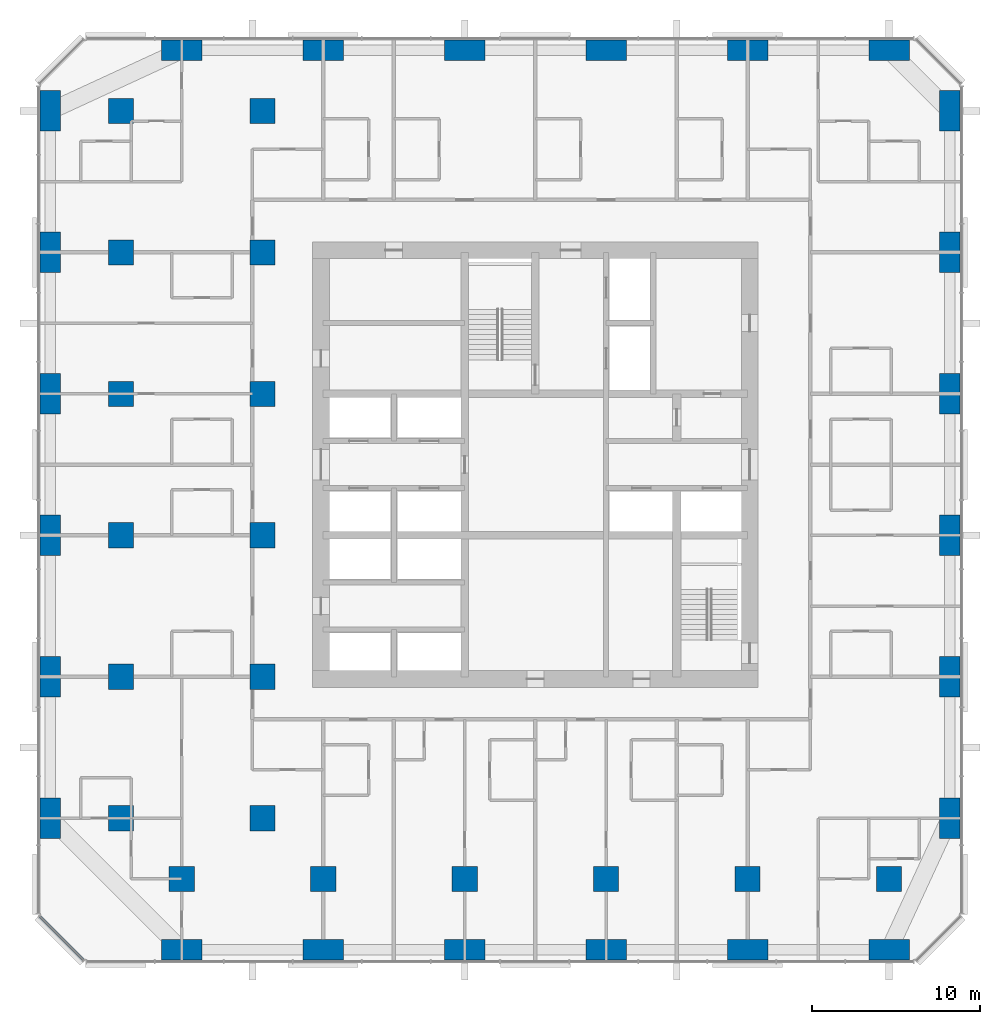
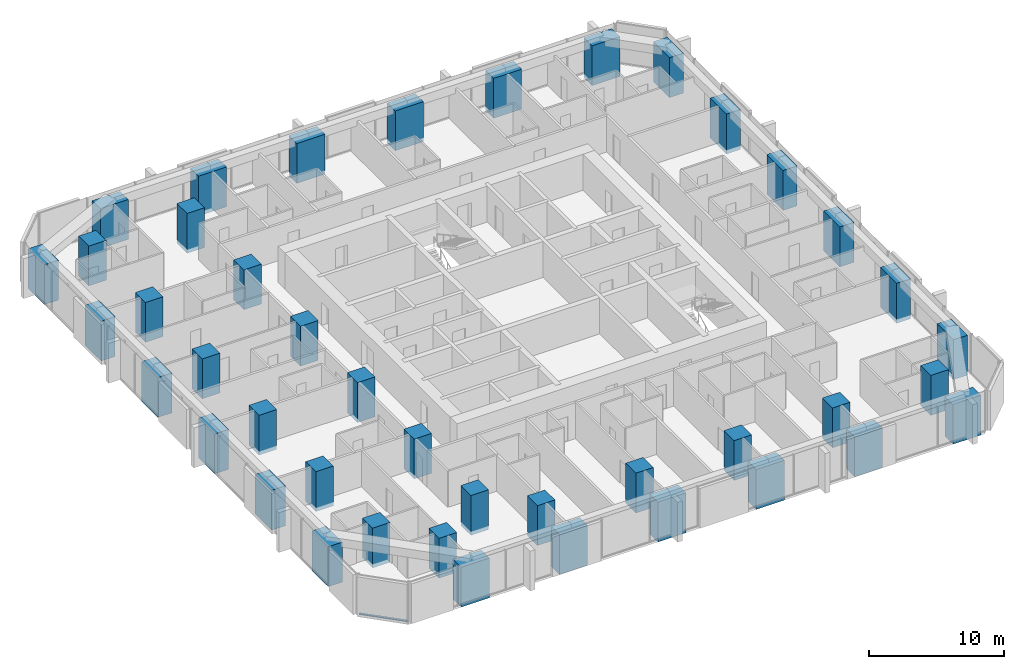
# One storey, part 1 of 14: 42 columns, 1 member, 1 element without a shape of its own.
"""IFC4 building model written with IfcOpenShell, lengths in metres."""

from ifc_helpers import new_model, si_unit, direction, frame, origin, origin_2d, place, context, subcontext, project, spatial, rectangle, extrude, material, material_profile, profile_set, type_object, element, aggregate, save


model = new_model("IFC4")

# Units and contexts
model_context = context("Model", 3, precision=1e-05, world=origin(), true_north=direction((0.0, 1.0)))
body_context = subcontext(model_context, "Body", "Model", "MODEL_VIEW")
ifc_project = project(units=[si_unit("LENGTHUNIT", "METRE"), si_unit("AREAUNIT", "SQUARE_METRE"), si_unit("VOLUMEUNIT", "CUBIC_METRE"), si_unit("PLANEANGLEUNIT", "RADIAN"), si_unit("MASSUNIT", "GRAM", prefix="KILO")], contexts=[model_context])

# Site, building, storey
site_placement = place(None, origin())
site = spatial("IfcSite", under=ifc_project, at=site_placement, CompositionType="ELEMENT")
building_placement = place(site_placement, origin())
building = spatial("IfcBuilding", under=site, at=building_placement, Name="Dunama Terrace Hotel", CompositionType="ELEMENT")
storey_placement = place(building_placement, frame((0.0, 0.0, 136.800048828125)))
storey = spatial("IfcBuildingStorey", under=building, at=storey_placement, Name="L35", CompositionType="ELEMENT", Elevation=136.800048828125)

# Columns
ifc_material_1 = material(Name="Concrete C60/75", Category="concrete")
ifc_material_profile_1 = material_profile(ifc_material_1, rectangle(XDim=1.199951171875, YDim=2.39990234375, at=origin_2d()), Name="RC 1200x2400")
ifc_profile_set_1 = profile_set([ifc_material_profile_1], Name="Concrete C60/75")
column_type_1 = type_object("IfcColumnType", Name="Column RC 1200x2400", PredefinedType="COLUMN", material=ifc_profile_set_1)
for number, where, z_axis, x_axis, name in (
    (1, (0.60009765625, 8.39990234375, -0.35009765625), (0.0, 0.0, 1.0), (1.0, 0.0, 0.0), "Column L35 +0.6/+8.4"),
    (2, (0.60009765625, 16.800048828125, -0.35009765625), (0.0, 0.0, 1.0), (1.0, 0.0, 0.0), "Column L35 +0.6/+16.8"),
    (3, (0.60009765625, 25.199951171875, -0.35009765625), (0.0, 0.0, 1.0), (1.0, 0.0, 0.0), "Column L35 +0.6/+25.2"),
    (4, (0.60009765625, 33.60009765625, -0.35009765625), (0.0, 0.0, 1.0), (1.0, 0.0, 0.0), "Column L35 +0.6/+33.6"),
    (5, (0.60009765625, 42.0, -0.35009765625), (0.0, 0.0, 1.0), (1.0, 0.0, 0.0), "Column L35 +0.6/+42.0"),
    (6, (0.60009765625, 50.39990234375, -0.35009765625), (0.0, 0.0, 1.0), (1.0, 0.0, 0.0), "Column L35 +0.6/+50.4"),
    (7, (54.0, 8.39990234375, -0.35009765625), (0.0, 0.0, 1.0), (1.0, 0.0, 0.0), "Column L35 +54.0/+8.4"),
    (8, (54.0, 16.800048828125, -0.35009765625), (0.0, 0.0, 1.0), (1.0, 0.0, 0.0), "Column L35 +54.0/+16.8"),
    (9, (54.0, 25.199951171875, -0.35009765625), (0.0, 0.0, 1.0), (1.0, 0.0, 0.0), "Column L35 +54.0/+25.2"),
    (10, (54.0, 33.60009765625, -0.35009765625), (0.0, 0.0, 1.0), (1.0, 0.0, 0.0), "Column L35 +54.0/+33.6"),
    (11, (54.0, 42.0, -0.35009765625), (0.0, 0.0, 1.0), (1.0, 0.0, 0.0), "Column L35 +54.0/+42.0"),
    (12, (54.0, 50.39990234375, -0.35009765625), (0.0, 0.0, 1.0), (1.0, 0.0, 0.0), "Column L35 +54.0/+50.4"),
):
    element("IfcColumn", number, at=place(storey_placement, frame(where, z_axis=z_axis, x_axis=x_axis)), inside=storey, type_object=column_type_1, Name=name, PredefinedType="COLUMN", context=body_context, shape_type="SweptSolid", body=[
        extrude(rectangle(XDim=1.199951171875, YDim=2.39990234375, at=origin_2d()), origin(), (0.0, 0.0, 1.0), 3.60009765625),
    ])
ifc_material_2 = material(Name="Concrete C60/75", Category="concrete")
ifc_material_profile_2 = material_profile(ifc_material_2, rectangle(XDim=1.5, YDim=1.5, at=origin_2d()), Name="RC 1500x1500")
ifc_profile_set_2 = profile_set([ifc_material_profile_2], Name="Concrete C60/75")
column_type_2 = type_object("IfcColumnType", Name="Column RC 1500x1500", PredefinedType="COLUMN", material=ifc_profile_set_2)
for number, where, z_axis, x_axis, name in (
    (13, (4.800048828125, 8.39990234375, -0.35009765625), (0.0, 0.0, 1.0), (1.0, 0.0, 0.0), "Column L35 +4.8/+8.4"),
    (14, (4.800048828125, 16.800048828125, -0.35009765625), (0.0, 0.0, 1.0), (1.0, 0.0, 0.0), "Column L35 +4.8/+16.8"),
    (15, (4.800048828125, 25.199951171875, -0.35009765625), (0.0, 0.0, 1.0), (1.0, 0.0, 0.0), "Column L35 +4.8/+25.2"),
    (16, (4.800048828125, 33.60009765625, -0.35009765625), (0.0, 0.0, 1.0), (1.0, 0.0, 0.0), "Column L35 +4.8/+33.6"),
    (17, (4.800048828125, 42.0, -0.35009765625), (0.0, 0.0, 1.0), (1.0, 0.0, 0.0), "Column L35 +4.8/+42.0"),
    (18, (4.800048828125, 50.39990234375, -0.35009765625), (0.0, 0.0, 1.0), (1.0, 0.0, 0.0), "Column L35 +4.8/+50.4"),
    (19, (8.39990234375, 4.800048828125, -0.35009765625), (0.0, 0.0, 1.0), (1.0, 0.0, 0.0), "Column L35 +8.4/+4.8"),
    (20, (13.199951171875, 8.39990234375, -0.35009765625), (0.0, 0.0, 1.0), (1.0, 0.0, 0.0), "Column L35 +13.2/+8.4"),
    (21, (13.199951171875, 16.800048828125, -0.35009765625), (0.0, 0.0, 1.0), (1.0, 0.0, 0.0), "Column L35 +13.2/+16.8"),
    (22, (13.199951171875, 25.199951171875, -0.35009765625), (0.0, 0.0, 1.0), (1.0, 0.0, 0.0), "Column L35 +13.2/+25.2"),
    (23, (13.199951171875, 33.60009765625, -0.35009765625), (0.0, 0.0, 1.0), (1.0, 0.0, 0.0), "Column L35 +13.2/+33.6"),
    (24, (13.199951171875, 42.0, -0.35009765625), (0.0, 0.0, 1.0), (1.0, 0.0, 0.0), "Column L35 +13.2/+42.0"),
    (25, (13.199951171875, 50.39990234375, -0.35009765625), (0.0, 0.0, 1.0), (1.0, 0.0, 0.0), "Column L35 +13.2/+50.4"),
    (26, (16.800048828125, 4.800048828125, -0.35009765625), (0.0, 0.0, 1.0), (1.0, 0.0, 0.0), "Column L35 +16.8/+4.8"),
    (27, (25.199951171875, 4.800048828125, -0.35009765625), (0.0, 0.0, 1.0), (1.0, 0.0, 0.0), "Column L35 +25.2/+4.8"),
    (28, (33.60009765625, 4.800048828125, -0.35009765625), (0.0, 0.0, 1.0), (1.0, 0.0, 0.0), "Column L35 +33.6/+4.8"),
    (29, (42.0, 4.800048828125, -0.35009765625), (0.0, 0.0, 1.0), (1.0, 0.0, 0.0), "Column L35 +42.0/+4.8"),
    (30, (50.39990234375, 4.800048828125, -0.35009765625), (0.0, 0.0, 1.0), (1.0, 0.0, 0.0), "Column L35 +50.4/+4.8"),
):
    element("IfcColumn", number, at=place(storey_placement, frame(where, z_axis=z_axis, x_axis=x_axis)), inside=storey, type_object=column_type_2, Name=name, PredefinedType="COLUMN", context=body_context, shape_type="SweptSolid", body=[
        extrude(rectangle(XDim=1.5, YDim=1.5, at=origin_2d()), origin(), (0.0, 0.0, 1.0), 3.60009765625),
    ])
ifc_material_3 = material(Name="Concrete C60/75", Category="concrete")
ifc_material_profile_3 = material_profile(ifc_material_3, rectangle(XDim=2.39990234375, YDim=1.199951171875, at=origin_2d()), Name="RC 2400x1200")
ifc_profile_set_3 = profile_set([ifc_material_profile_3], Name="Concrete C60/75")
column_type_3 = type_object("IfcColumnType", Name="Column RC 2400x1200", PredefinedType="COLUMN", material=ifc_profile_set_3)
for number, where, z_axis, x_axis, name in (
    (31, (8.39990234375, 0.60009765625, -0.35009765625), (0.0, 0.0, 1.0), (1.0, 0.0, 0.0), "Column L35 +8.4/+0.6"),
    (32, (8.39990234375, 54.0, -0.35009765625), (0.0, 0.0, 1.0), (1.0, 0.0, 0.0), "Column L35 +8.4/+54.0"),
    (33, (16.800048828125, 0.60009765625, -0.35009765625), (0.0, 0.0, 1.0), (1.0, 0.0, 0.0), "Column L35 +16.8/+0.6"),
    (34, (16.800048828125, 54.0, -0.35009765625), (0.0, 0.0, 1.0), (1.0, 0.0, 0.0), "Column L35 +16.8/+54.0"),
    (35, (25.199951171875, 0.60009765625, -0.35009765625), (0.0, 0.0, 1.0), (1.0, 0.0, 0.0), "Column L35 +25.2/+0.6"),
    (36, (25.199951171875, 54.0, -0.35009765625), (0.0, 0.0, 1.0), (1.0, 0.0, 0.0), "Column L35 +25.2/+54.0"),
    (37, (33.60009765625, 0.60009765625, -0.35009765625), (0.0, 0.0, 1.0), (1.0, 0.0, 0.0), "Column L35 +33.6/+0.6"),
    (38, (33.60009765625, 54.0, -0.35009765625), (0.0, 0.0, 1.0), (1.0, 0.0, 0.0), "Column L35 +33.6/+54.0"),
    (39, (42.0, 0.60009765625, -0.35009765625), (0.0, 0.0, 1.0), (1.0, 0.0, 0.0), "Column L35 +42.0/+0.6"),
    (40, (42.0, 54.0, -0.35009765625), (0.0, 0.0, 1.0), (1.0, 0.0, 0.0), "Column L35 +42.0/+54.0"),
    (41, (50.39990234375, 0.60009765625, -0.35009765625), (0.0, 0.0, 1.0), (1.0, 0.0, 0.0), "Column L35 +50.4/+0.6"),
    (42, (50.39990234375, 54.0, -0.35009765625), (0.0, 0.0, 1.0), (1.0, 0.0, 0.0), "Column L35 +50.4/+54.0"),
):
    element("IfcColumn", number, at=place(storey_placement, frame(where, z_axis=z_axis, x_axis=x_axis)), inside=storey, type_object=column_type_3, Name=name, PredefinedType="COLUMN", context=body_context, shape_type="SweptSolid", body=[
        extrude(rectangle(XDim=2.39990234375, YDim=1.199951171875, at=origin_2d()), origin(), (0.0, 0.0, 1.0), 3.60009765625),
    ])

# Curtain wall, member
ifc_material_4 = material(Name="Aluminium curtain wall system", Category="aluminium")
curtain_wall_type = type_object("IfcCurtainWallType", Name="Unitised fritted glass wall CW-B", PredefinedType="NOTDEFINED", material=ifc_material_4)
curtain_wall_placement = place(storey_placement, origin())
curtain_wall = element("IfcCurtainWall", 43, at=curtain_wall_placement, inside=storey, type_object=curtain_wall_type, Name="Unitised fritted glass wall CW-B L35", PredefinedType="NOTDEFINED")
ifc_material_5 = material(Name="Aluminium transom", Category="aluminium")
ifc_material_profile_4 = material_profile(ifc_material_5, rectangle(XDim=0.179931640625, YDim=0.080078125, at=origin_2d()), Name="CWB TRANSOM 180X80")
ifc_profile_set_4 = profile_set([ifc_material_profile_4], Name="Aluminium transom")
member_type = type_object("IfcMemberType", Name="CWB transom 180x80", PredefinedType="USERDEFINED", material=ifc_profile_set_4)
member_placement = place(storey_placement, frame((-0.031982421875, 2.575927734375, 0.0400390625), z_axis=(0.707106781187, -0.707106781187, 0.0), x_axis=(0.707106781187, 0.707106781187, 0.0)))
member = element("IfcMember", 44, at=member_placement, type_object=member_type, Name="CWB transom", ObjectType="TRANSOM", PredefinedType="USERDEFINED", context=body_context, shape_type="SweptSolid", body=[
    extrude(rectangle(XDim=0.179931640625, YDim=0.080078125, at=origin_2d()), origin(), (0.0, 0.0, 1.0), 3.688232421875),
])
aggregate(curtain_wall, [member])

save(model, "model.ifc")
